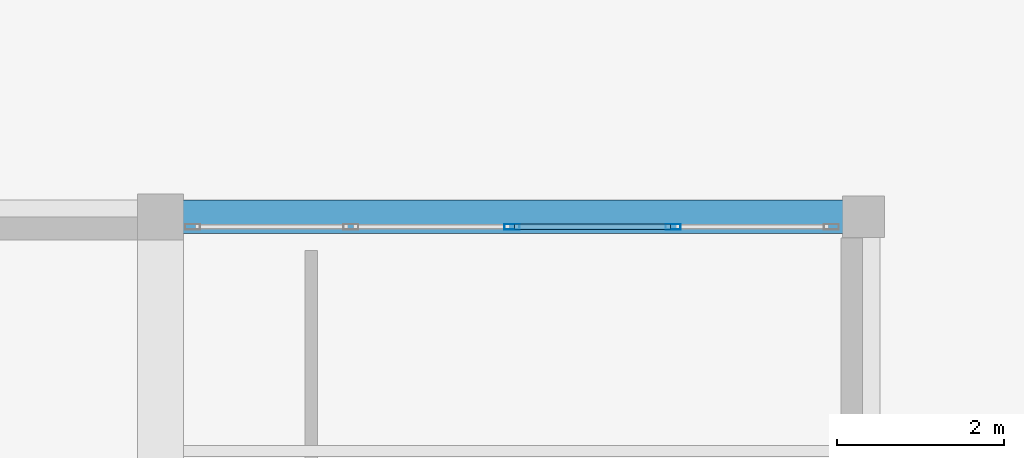
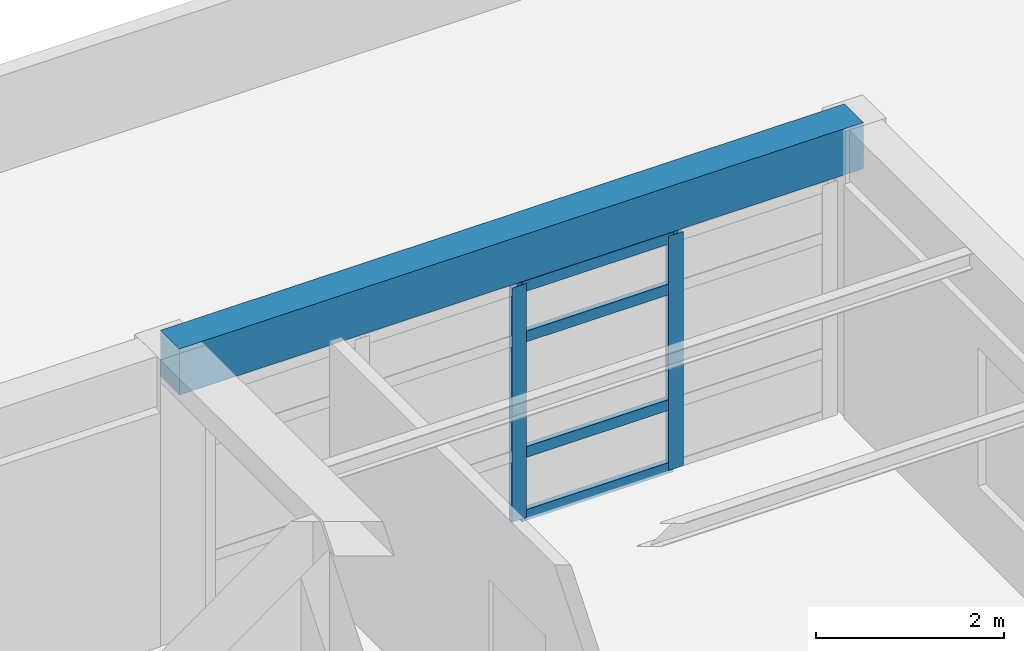
# One storey, part 14 of 22: 6 members, 1 beam, 1 element without a shape of its own.
"""IFC4 building model written with IfcOpenShell, lengths in metres."""

from ifc_helpers import new_model, si_unit, direction, frame, origin, origin_2d, place, context, subcontext, project, spatial, rectangle, hollow_rectangle, extrude, material, material_profile, profile_set, type_object, element, aggregate, save


model = new_model("IFC4")

# Units and contexts
model_context = context("Model", 3, precision=1e-05, world=origin(), true_north=direction((0.0, 1.0)))
body_context = subcontext(model_context, "Body", "Model", "MODEL_VIEW")
ifc_project = project(units=[si_unit("LENGTHUNIT", "METRE"), si_unit("AREAUNIT", "SQUARE_METRE"), si_unit("VOLUMEUNIT", "CUBIC_METRE"), si_unit("PLANEANGLEUNIT", "RADIAN"), si_unit("MASSUNIT", "GRAM", prefix="KILO")], contexts=[model_context])

# Site, building, storey
site_placement = place(None, origin())
site = spatial("IfcSite", under=ifc_project, at=site_placement, CompositionType="ELEMENT")
building_placement = place(site_placement, origin())
building = spatial("IfcBuilding", under=site, at=building_placement, Name="Almacenes y Pasaje Nevantli", CompositionType="ELEMENT")
storey_placement = place(building_placement, frame((0.0, 0.0, 58.699951171875)))
storey = spatial("IfcBuildingStorey", under=building, at=storey_placement, Name="L14", CompositionType="ELEMENT", Elevation=58.699951171875)

# Beam
ifc_material_1 = material(Name="Concrete C35/45", Category="concrete")
ifc_material_profile_1 = material_profile(ifc_material_1, rectangle(XDim=0.39990234375, YDim=0.60009765625, at=origin_2d()), Name="RC-BM-400x600")
ifc_profile_set_1 = profile_set([ifc_material_profile_1], Name="Concrete C35/45")
beam_type = type_object("IfcBeamType", Name="BM-RC-400x600", PredefinedType="SPANDREL", material=ifc_profile_set_1)
beam_placement = place(storey_placement, frame((142.800048828125, 92.39990234375, 3.420166015625), z_axis=(1.0, 0.0, 0.0), x_axis=(0.0, 1.0, 0.0)))
element("IfcBeam", 1, at=beam_placement, inside=storey, type_object=beam_type, Name="L14 East-West Reinforced Concrete Beam #4000", PredefinedType="SPANDREL", context=body_context, shape_type="SweptSolid", body=[
    extrude(rectangle(XDim=0.39990234375, YDim=0.60009765625, at=origin_2d()), origin(), (0.0, 0.0, 1.0), 8.39990234375),
])

# Curtain wall, members
ifc_material_2 = material(Name="Thermally Broken Aluminium and Low-E Glass", Category="aluminium")
curtain_wall_type = type_object("IfcCurtainWallType", Name="CW-UNIT-TOWER", PredefinedType="USERDEFINED", material=ifc_material_2)
curtain_wall_placement = place(storey_placement, origin())
curtain_wall = element("IfcCurtainWall", 2, at=curtain_wall_placement, inside=storey, type_object=curtain_wall_type, Name="L14 Tower North Boulevard Unitized Curtain Wall Bay 18", ObjectType="UNITIZED CURTAIN WALL", PredefinedType="USERDEFINED")
ifc_material_3 = material(Name="Thermally Broken Anodized Aluminium", Category="aluminium")
ifc_material_profile_2 = material_profile(ifc_material_3, hollow_rectangle(XDim=0.06494140625, YDim=0.179931640625, WallThickness=0.00390625, at=origin_2d()), Name="ALU-MUL-65x180")
ifc_profile_set_2 = profile_set([ifc_material_profile_2], Name="Thermally Broken Anodized Aluminium")
member_type_1 = type_object("IfcMemberType", Name="CW-MUL-200", PredefinedType="MULLION", material=ifc_profile_set_2)
member_1_placement = place(storey_placement, frame((147.0, 92.280029296875, 0.0), z_axis=(0.0, 0.0, 1.0), x_axis=(0.0, 1.0, 0.0)))
member_1 = element("IfcMember", 3, at=member_1_placement, type_object=member_type_1, Name="CW-L14-180 mullion 3", PredefinedType="MULLION", context=body_context, shape_type="SweptSolid", body=[
    extrude(hollow_rectangle(XDim=0.06494140625, YDim=0.179931640625, WallThickness=0.00390625, at=origin_2d()), origin(), (0.0, 0.0, 1.0), 3.0400390625),
])
member_2_placement = place(storey_placement, frame((148.925048828125, 92.280029296875, 0.0), z_axis=(0.0, 0.0, 1.0), x_axis=(0.0, 1.0, 0.0)))
member_2 = element("IfcMember", 4, at=member_2_placement, type_object=member_type_1, Name="CW-L14-180 mullion 4", PredefinedType="MULLION", context=body_context, shape_type="SweptSolid", body=[
    extrude(hollow_rectangle(XDim=0.06494140625, YDim=0.179931640625, WallThickness=0.00390625, at=origin_2d()), origin(), (0.0, 0.0, 1.0), 3.0400390625),
])
ifc_material_4 = material(Name="Thermally Broken Anodized Aluminium", Category="aluminium")
ifc_material_profile_3 = material_profile(ifc_material_4, hollow_rectangle(XDim=0.06494140625, YDim=0.139892578125, WallThickness=0.00390625, at=origin_2d()), Name="ALU-TRN-65x140")
ifc_profile_set_3 = profile_set([ifc_material_profile_3], Name="Thermally Broken Anodized Aluminium")
member_type_2 = type_object("IfcMemberType", Name="CW-TRN-150", PredefinedType="USERDEFINED", material=ifc_profile_set_3)
member_3_placement = place(storey_placement, frame((147.032470703125, 92.280029296875, 0.032470703125), z_axis=(1.0, 0.0, 0.0), x_axis=(0.0, 1.0, 0.0)))
member_3 = element("IfcMember", 5, at=member_3_placement, type_object=member_type_2, Name="CW-L14-180 transom 3.1", ObjectType="TRANSOM", PredefinedType="USERDEFINED", context=body_context, shape_type="SweptSolid", body=[
    extrude(hollow_rectangle(XDim=0.06494140625, YDim=0.139892578125, WallThickness=0.00390625, at=origin_2d()), origin(), (0.0, 0.0, 1.0), 1.860107421875),
])
member_4_placement = place(storey_placement, frame((147.032470703125, 92.280029296875, 0.85009765625), z_axis=(1.0, 0.0, 0.0), x_axis=(0.0, 1.0, 0.0)))
member_4 = element("IfcMember", 6, at=member_4_placement, type_object=member_type_2, Name="CW-L14-180 transom 3.2", ObjectType="TRANSOM", PredefinedType="USERDEFINED", context=body_context, shape_type="SweptSolid", body=[
    extrude(hollow_rectangle(XDim=0.06494140625, YDim=0.139892578125, WallThickness=0.00390625, at=origin_2d()), origin(), (0.0, 0.0, 1.0), 1.860107421875),
])
member_5_placement = place(storey_placement, frame((147.032470703125, 92.280029296875, 2.35009765625), z_axis=(1.0, 0.0, 0.0), x_axis=(0.0, 1.0, 0.0)))
member_5 = element("IfcMember", 7, at=member_5_placement, type_object=member_type_2, Name="CW-L14-180 transom 3.3", ObjectType="TRANSOM", PredefinedType="USERDEFINED", context=body_context, shape_type="SweptSolid", body=[
    extrude(hollow_rectangle(XDim=0.06494140625, YDim=0.139892578125, WallThickness=0.00390625, at=origin_2d()), origin(), (0.0, 0.0, 1.0), 1.860107421875),
])
member_6_placement = place(storey_placement, frame((147.032470703125, 92.280029296875, 3.007568359375), z_axis=(1.0, 0.0, 0.0), x_axis=(0.0, 1.0, 0.0)))
member_6 = element("IfcMember", 8, at=member_6_placement, type_object=member_type_2, Name="CW-L14-180 transom 3.4", ObjectType="TRANSOM", PredefinedType="USERDEFINED", context=body_context, shape_type="SweptSolid", body=[
    extrude(hollow_rectangle(XDim=0.06494140625, YDim=0.139892578125, WallThickness=0.00390625, at=origin_2d()), origin(), (0.0, 0.0, 1.0), 1.860107421875),
])
aggregate(curtain_wall, [member_1, member_2, member_3, member_4, member_5, member_6])

save(model, "model.ifc")
